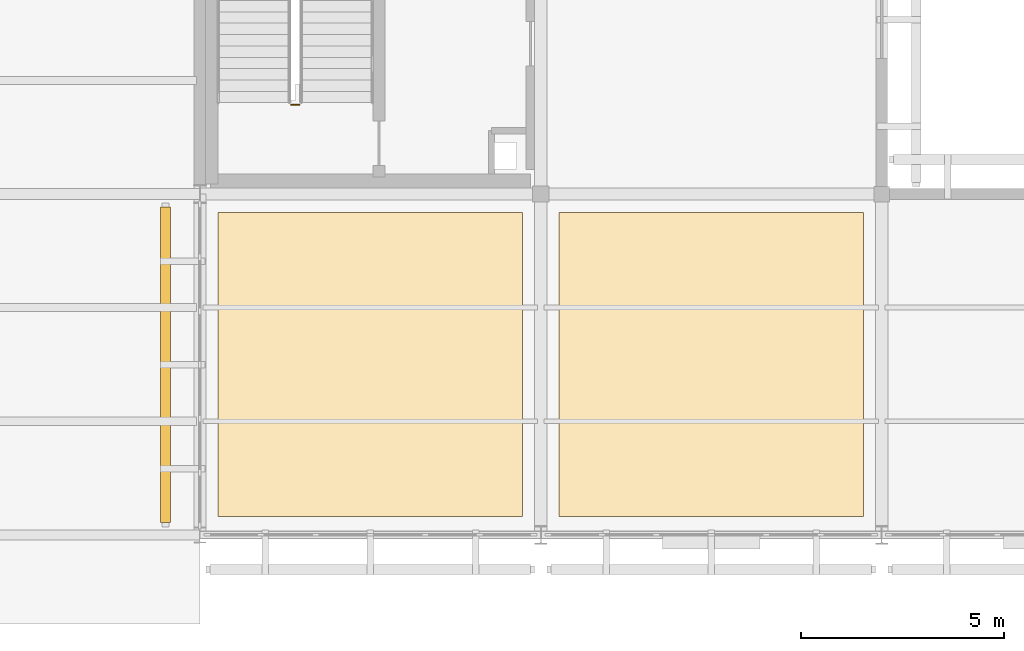
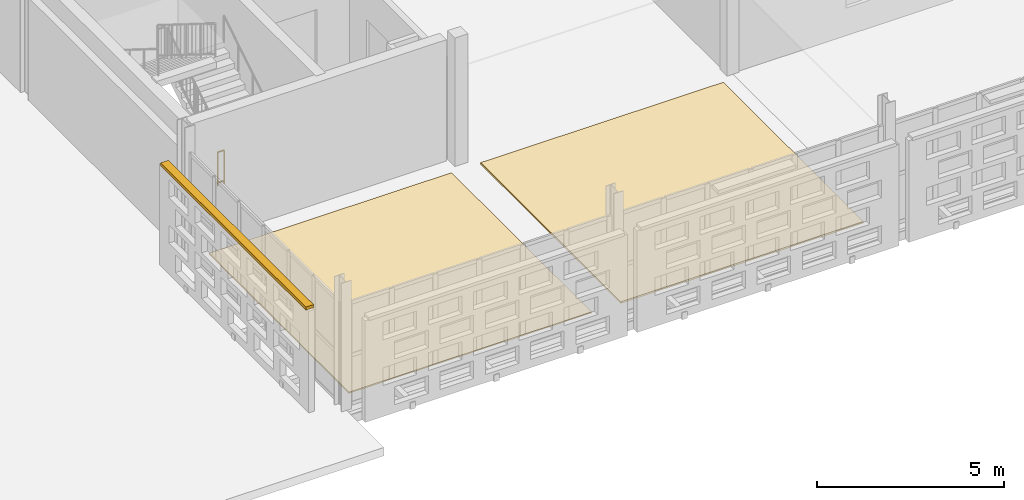
# One storey, part 132 of 166: 2 coverings, 1 railing, 1 shading device.
"""IFC4 building model written with IfcOpenShell, lengths in metres."""

from ifc_helpers import new_model, si_unit, direction, frame, origin, origin_2d, place, context, subcontext, project, spatial, rectangle, circle, extrude, material, layer, layer_set, type_object, element, save


model = new_model("IFC4")

# Units and contexts
model_context = context("Model", 3, precision=1e-05, world=origin(), true_north=direction((0.0, 1.0)))
body_context = subcontext(model_context, "Body", "Model", "MODEL_VIEW")
ifc_project = project(units=[si_unit("LENGTHUNIT", "METRE"), si_unit("AREAUNIT", "SQUARE_METRE"), si_unit("VOLUMEUNIT", "CUBIC_METRE"), si_unit("PLANEANGLEUNIT", "RADIAN"), si_unit("MASSUNIT", "GRAM", prefix="KILO")], contexts=[model_context])

# Site, building, storey
site_placement = place(None, origin())
site = spatial("IfcSite", under=ifc_project, at=site_placement, CompositionType="ELEMENT")
building_placement = place(site_placement, origin())
building = spatial("IfcBuilding", under=site, at=building_placement, Name="Varnapada Polytechnic", CompositionType="ELEMENT")
storey_placement = place(building_placement, frame((0.0, 0.0, 9.60009765625)))
storey = spatial("IfcBuildingStorey", under=building, at=storey_placement, Name="L02", CompositionType="ELEMENT", Elevation=9.60009765625)

# Coverings
ifc_material_1 = material(Name="End-Grain Timber Studio Block Flooring", Category="wood")
ifc_layer_1 = layer(ifc_material_1, 0.054931640625)
ifc_layer_set_1 = layer_set([ifc_layer_1], Name="End-Grain Timber Studio Block Flooring")
covering_type_1 = type_object("IfcCoveringType", Name="Floor Finish FLR-04", PredefinedType="FLOORING", material=ifc_layer_set_1)
covering_1_placement = place(storey_placement, frame((63.0, 88.199951171875, 0.0), z_axis=(0.0, 0.0, 1.0), x_axis=(1.0, 0.0, 0.0)))
element("IfcCovering", 1, at=covering_1_placement, inside=storey, type_object=covering_type_1, Name="L02 floor finish panel (8,11)", PredefinedType="FLOORING", context=body_context, shape_type="SweptSolid", body=[
    extrude(rectangle(XDim=7.5, YDim=7.5, at=origin_2d()), origin(), (0.0, 0.0, 1.0), 0.054931640625),
])
ifc_material_2 = material(Name="Acoustic Rubber Seminar Flooring")
ifc_layer_2 = layer(ifc_material_2, 0.0400390625)
ifc_layer_set_2 = layer_set([ifc_layer_2], Name="Acoustic Rubber Seminar Flooring")
covering_type_2 = type_object("IfcCoveringType", Name="Floor Finish FLR-06", PredefinedType="FLOORING", material=ifc_layer_set_2)
covering_2_placement = place(storey_placement, frame((54.60009765625, 88.199951171875, 0.0), z_axis=(0.0, 0.0, 1.0), x_axis=(1.0, 0.0, 0.0)))
element("IfcCovering", 2, at=covering_2_placement, inside=storey, type_object=covering_type_2, Name="L02 floor finish panel (7,11)", PredefinedType="FLOORING", context=body_context, shape_type="SweptSolid", body=[
    extrude(rectangle(XDim=7.5, YDim=7.5, at=origin_2d()), origin(), (0.0, 0.0, 1.0), 0.0400390625),
])

# Railing
ifc_material_3 = material(Name="Brushed Stainless Steel 316", Category="steel")
railing_type = type_object("IfcRailingType", Name="Stair Well Guard Rail SGR-01", PredefinedType="BALUSTRADE", material=ifc_material_3)
railing_placement = place(storey_placement, frame((52.85009765625, 94.60009765625, 0.0)))
element("IfcRailing", 3, at=railing_placement, inside=storey, type_object=railing_type, Name="L02 ST-4 stair guard 4", PredefinedType="BALUSTRADE", context=body_context, shape_type="SweptSolid", body=[
    extrude(circle(Radius=0.02392578125, at=origin_2d()), frame((0.0, 0.0, 1.09619140625), z_axis=(-1.0, 0.0, 0.0), x_axis=(0.0, -1.0, 0.0)), (0.0, 0.0, 1.0), 0.2001953125),
    extrude(circle(Radius=0.02392578125, at=origin_2d()), frame((0.0, 0.0, 0.10009765625), z_axis=(-1.0, 0.0, 0.0), x_axis=(0.0, -1.0, 0.0)), (0.0, 0.0, 1.0), 0.2001953125),
    extrude(circle(Radius=0.02099609375, at=origin_2d()), origin(), (0.0, 0.0, 1.0), 1.072021484375),
    extrude(circle(Radius=0.02099609375, at=origin_2d()), frame((-0.2001953125, 0.0, 0.0)), (0.0, 0.0, 1.0), 1.072021484375),
])

# Shading device
ifc_material_4 = material(Name="Earth-toned architectural terracotta screen block", Category="masonry")
ifc_layer_3 = layer(ifc_material_4, 0.179931640625)
ifc_layer_set_3 = layer_set([ifc_layer_3], Name="Earth-toned architectural terracotta screen block")
shading_device_type = type_object("IfcShadingDeviceType", Name="Terracotta Screen SCR-01", PredefinedType="USERDEFINED", material=ifc_layer_set_3)
shading_device_placement = place(storey_placement, frame((49.550048828125, 88.1875, 3.309814453125), z_axis=(0.0, 0.0, 1.0), x_axis=(0.0, 1.0, 0.0)))
element("IfcShadingDevice", 4, at=shading_device_placement, inside=storey, type_object=shading_device_type, Name="L02 perforated terracotta screen hood 273", ObjectType="SCREEN", PredefinedType="USERDEFINED", context=body_context, shape_type="SweptSolid", body=[
    extrude(rectangle(XDim=7.77490234375, YDim=0.239990234375, at=origin_2d()), origin(), (0.0, 0.0, 1.0), 0.10009765625),
])

save(model, "model.ifc")
